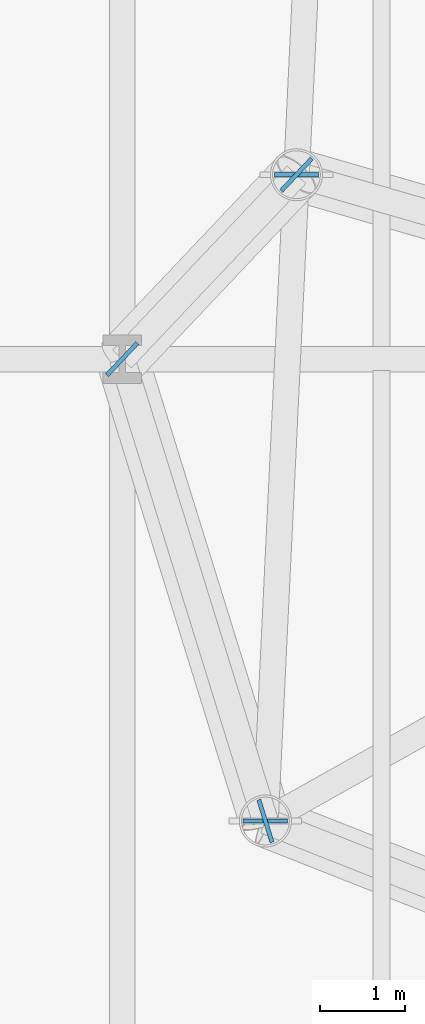
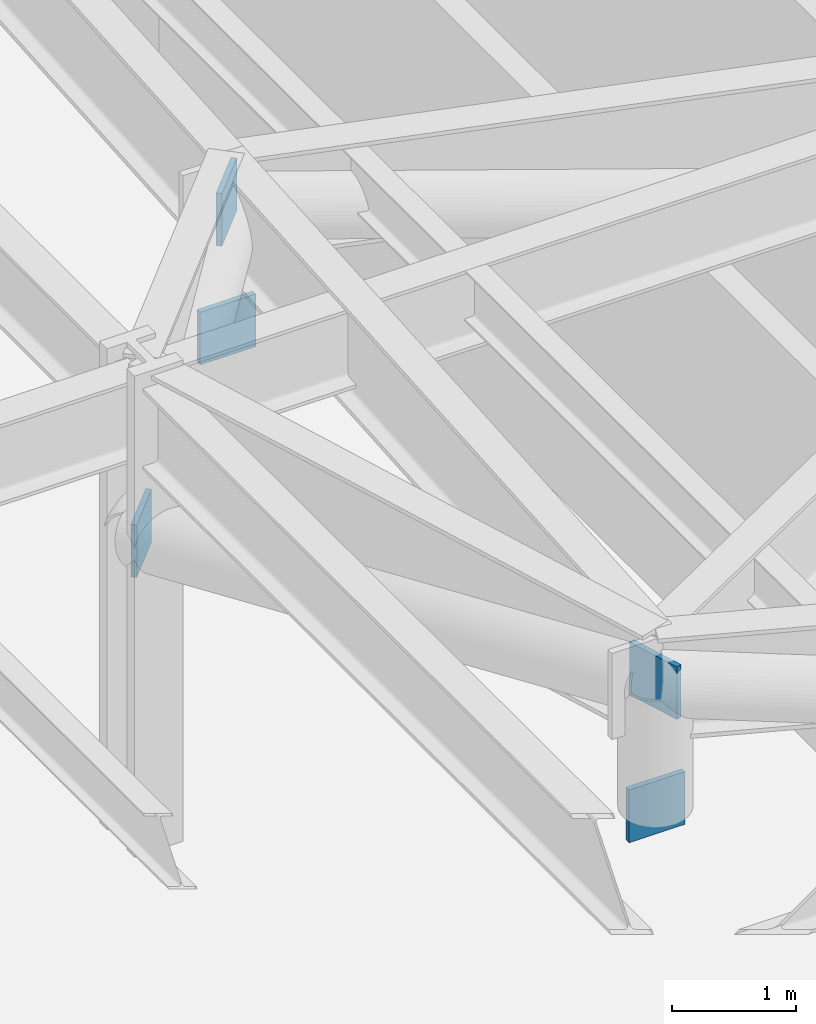
# One storey, part 31 of 40: 5 discrete accessories.
"""IFC4 building model written with IfcOpenShell, lengths in metres."""

from ifc_helpers import new_model, si_unit, direction, frame, origin, origin_2d, place, context, subcontext, project, spatial, rectangle, extrude, material, type_object, element, save


model = new_model("IFC4")

# Units and contexts
model_context = context("Model", 3, precision=1e-05, world=origin(), true_north=direction((0.0, 1.0)))
body_context = subcontext(model_context, "Body", "Model", "MODEL_VIEW")
ifc_project = project(units=[si_unit("LENGTHUNIT", "METRE"), si_unit("AREAUNIT", "SQUARE_METRE"), si_unit("VOLUMEUNIT", "CUBIC_METRE"), si_unit("PLANEANGLEUNIT", "RADIAN"), si_unit("MASSUNIT", "GRAM", prefix="KILO")], contexts=[model_context])

# Site, building, storey
site_placement = place(None, origin())
site = spatial("IfcSite", under=ifc_project, at=site_placement, CompositionType="ELEMENT")
building_placement = place(site_placement, origin())
building = spatial("IfcBuilding", under=site, at=building_placement, Name="Narakoshi Arena Tower", CompositionType="ELEMENT")
storey_placement = place(building_placement, frame((0.0, 0.0, 21.60009765625)))
storey = spatial("IfcBuildingStorey", under=building, at=storey_placement, Name="L05", CompositionType="ELEMENT", Elevation=21.60009765625)

# Discrete accessories
ifc_material = material(Name="Structural steel S460ML", Category="steel")
discrete_accessory_type = type_object("IfcDiscreteAccessoryType", Name="ACC-GUS-PLT", PredefinedType="BRACKET", material=ifc_material)
for number, where, z_axis, x_axis, name in (
    (1, (60.699951171875, 56.5, 2.68994140625), (0.0, 0.0, 1.0), (0.687087510804, 0.726574670971, 0.0), "L05 Brace Node Gusset Plate 0129"),
    (2, (62.74169921875, 58.658935546875, 3.935791015625), (0.0, 0.0, 1.0), (0.687087510804, 0.726574670971, 0.0), "L05 Brace Node Gusset Plate 0130"),
    (3, (62.74169921875, 58.658935546875, 2.68994140625), (0.0, 0.0, 1.0), (1.0, 0.0, 0.0), "L05 Brace Node Gusset Plate 0132"),
    (4, (62.3779296875, 51.08984375, 3.935791015625), (0.0, 0.0, 1.0), (-0.296208192067, 0.955123398809, 0.0), "L05 Brace Node Gusset Plate 0133"),
    (5, (62.3779296875, 51.08984375, 2.68994140625), (0.0, 0.0, 1.0), (1.0, 0.0, 0.0), "L05 Brace Node Gusset Plate 0135"),
):
    element("IfcDiscreteAccessory", number, at=place(storey_placement, frame(where, z_axis=z_axis, x_axis=x_axis)), inside=storey, type_object=discrete_accessory_type, Name=name, PredefinedType="BRACKET", context=body_context, shape_type="SweptSolid", body=[
        extrude(rectangle(XDim=0.52001953125, YDim=0.050048828125, at=origin_2d()), origin(), (0.0, 0.0, 1.0), 0.52001953125),
    ])

save(model, "model.ifc")
